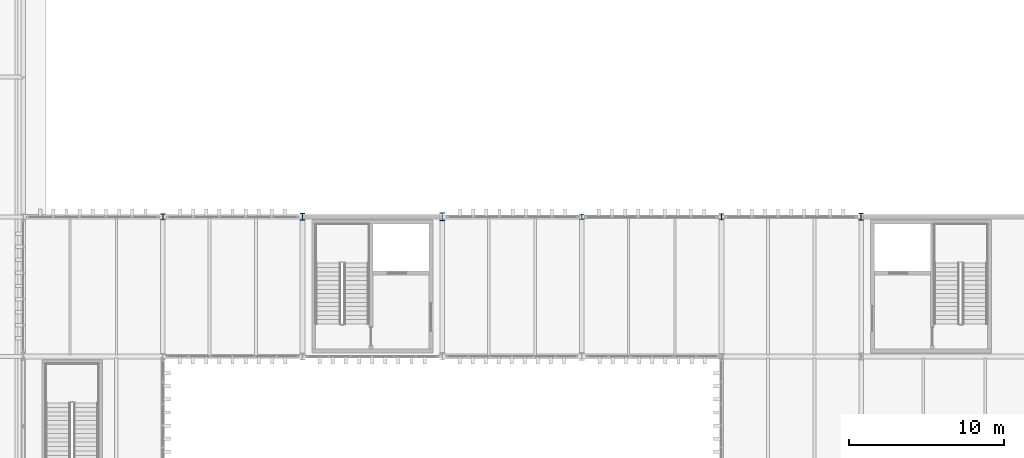
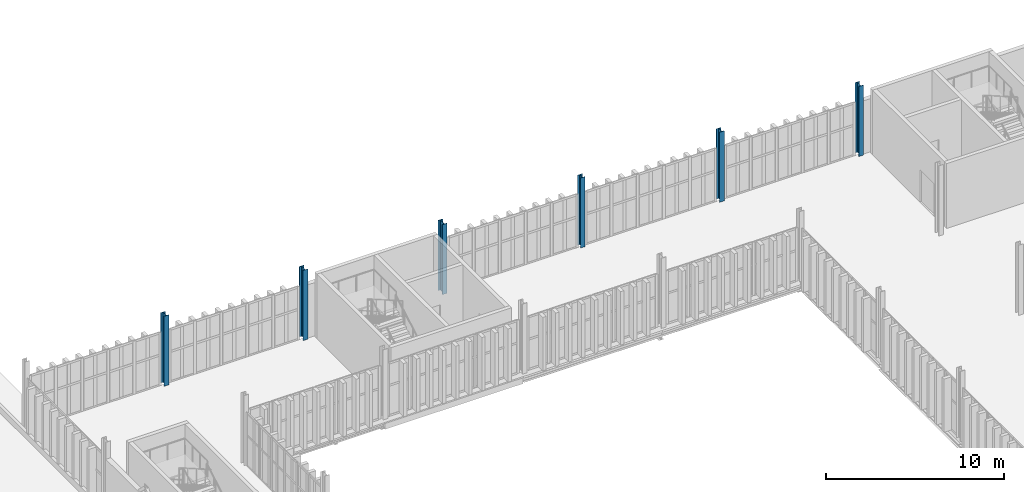
# One storey, part 15 of 196: 6 columns.
"""IFC4 building model written with IfcOpenShell, lengths in metres."""

from ifc_helpers import new_model, si_unit, direction, frame, origin, origin_2d, place, context, subcontext, project, spatial, i_section, extrude, material, material_profile, profile_set, type_object, element, save


model = new_model("IFC4")

# Units and contexts
model_context = context("Model", 3, precision=1e-05, world=origin(), true_north=direction((0.0, 1.0)))
body_context = subcontext(model_context, "Body", "Model", "MODEL_VIEW")
ifc_project = project(units=[si_unit("LENGTHUNIT", "METRE"), si_unit("AREAUNIT", "SQUARE_METRE"), si_unit("VOLUMEUNIT", "CUBIC_METRE"), si_unit("PLANEANGLEUNIT", "RADIAN"), si_unit("MASSUNIT", "GRAM", prefix="KILO")], contexts=[model_context])

# Site, building, storey
site_placement = place(None, origin())
site = spatial("IfcSite", under=ifc_project, at=site_placement, CompositionType="ELEMENT")
building_placement = place(site_placement, origin())
building = spatial("IfcBuilding", under=site, at=building_placement, Name="Barlavento Convention Centre", CompositionType="ELEMENT")
storey_placement = place(building_placement, frame((0.0, 0.0, 18.0)))
storey = spatial("IfcBuildingStorey", under=building, at=storey_placement, Name="L03", CompositionType="ELEMENT", Elevation=18.0)

# Columns
ifc_material = material(Name="Steel S355", Category="steel")
ifc_material_profile_1 = material_profile(ifc_material, i_section(OverallWidth=0.300048828125, OverallDepth=0.340087890625, WebThickness=0.011962890625, FlangeThickness=0.021484375, FilletRadius=0.027099609375, at=origin_2d()), Name="HEB 340")
ifc_profile_set_1 = profile_set([ifc_material_profile_1], Name="Steel S355")
column_type_1 = type_object("IfcColumnType", Name="STR-COL-HEB340", PredefinedType="COLUMN", material=ifc_profile_set_1)
column_1_placement = place(storey_placement, frame((162.0, 99.0, 0.0), z_axis=(0.0, 0.0, 1.0), x_axis=(1.0, 0.0, 0.0)))
element("IfcColumn", 1, at=column_1_placement, inside=storey, type_object=column_type_1, Name="L03 column SC12", PredefinedType="COLUMN", context=body_context, shape_type="SweptSolid", body=[
    extrude(i_section(OverallWidth=0.300048828125, OverallDepth=0.340087890625, WebThickness=0.011962890625, FlangeThickness=0.021484375, FilletRadius=0.027099609375, at=origin_2d()), origin(), (0.0, 0.0, 1.0), 4.800048828125),
])
ifc_material_profile_2 = material_profile(ifc_material, i_section(OverallWidth=0.300048828125, OverallDepth=0.39990234375, WebThickness=0.013427734375, FlangeThickness=0.02392578125, FilletRadius=0.027099609375, at=origin_2d()), Name="HEB 400")
ifc_profile_set_2 = profile_set([ifc_material_profile_2], Name="Steel S355")
column_type_2 = type_object("IfcColumnType", Name="STR-COL-HEB400", PredefinedType="COLUMN", material=ifc_profile_set_2)
for number, where, z_axis, x_axis, name in (
    (2, (135.0, 99.0, 0.0), (0.0, 0.0, 1.0), (1.0, 0.0, 0.0), "L03 column SC11"),
    (3, (171.0, 99.0, 0.0), (0.0, 0.0, 1.0), (1.0, 0.0, 0.0), "L03 column SC11"),
):
    element("IfcColumn", number, at=place(storey_placement, frame(where, z_axis=z_axis, x_axis=x_axis)), inside=storey, type_object=column_type_2, Name=name, PredefinedType="COLUMN", context=body_context, shape_type="SweptSolid", body=[
        extrude(i_section(OverallWidth=0.300048828125, OverallDepth=0.39990234375, WebThickness=0.013427734375, FlangeThickness=0.02392578125, FilletRadius=0.027099609375, at=origin_2d()), origin(), (0.0, 0.0, 1.0), 4.800048828125),
    ])
ifc_material_profile_3 = material_profile(ifc_material, i_section(OverallWidth=0.300048828125, OverallDepth=0.449951171875, WebThickness=0.013916015625, FlangeThickness=0.02587890625, FilletRadius=0.027099609375, at=origin_2d()), Name="HEB 450")
ifc_profile_set_3 = profile_set([ifc_material_profile_3], Name="Steel S355")
column_type_3 = type_object("IfcColumnType", Name="STR-COL-HEB450", PredefinedType="COLUMN", material=ifc_profile_set_3)
for number, where, z_axis, x_axis, name in (
    (4, (144.0, 99.0, 0.0), (0.0, 0.0, 1.0), (1.0, 0.0, 0.0), "L03 column SC10"),
    (5, (180.0, 99.0, 0.0), (0.0, 0.0, 1.0), (1.0, 0.0, 0.0), "L03 column SC10"),
):
    element("IfcColumn", number, at=place(storey_placement, frame(where, z_axis=z_axis, x_axis=x_axis)), inside=storey, type_object=column_type_3, Name=name, PredefinedType="COLUMN", context=body_context, shape_type="SweptSolid", body=[
        extrude(i_section(OverallWidth=0.300048828125, OverallDepth=0.449951171875, WebThickness=0.013916015625, FlangeThickness=0.02587890625, FilletRadius=0.027099609375, at=origin_2d()), origin(), (0.0, 0.0, 1.0), 4.800048828125),
    ])
ifc_material_profile_4 = material_profile(ifc_material, i_section(OverallWidth=0.300048828125, OverallDepth=0.5, WebThickness=0.014404296875, FlangeThickness=0.028076171875, FilletRadius=0.027099609375, at=origin_2d()), Name="HEB 500")
ifc_profile_set_4 = profile_set([ifc_material_profile_4], Name="Steel S355")
column_type_4 = type_object("IfcColumnType", Name="STR-COL-HEB500", PredefinedType="COLUMN", material=ifc_profile_set_4)
column_2_placement = place(storey_placement, frame((153.0, 99.0, 0.0), z_axis=(0.0, 0.0, 1.0), x_axis=(1.0, 0.0, 0.0)))
element("IfcColumn", 6, at=column_2_placement, inside=storey, type_object=column_type_4, Name="L03 column SC09", PredefinedType="COLUMN", context=body_context, shape_type="SweptSolid", body=[
    extrude(i_section(OverallWidth=0.300048828125, OverallDepth=0.5, WebThickness=0.014404296875, FlangeThickness=0.028076171875, FilletRadius=0.027099609375, at=origin_2d()), origin(), (0.0, 0.0, 1.0), 4.800048828125),
])

save(model, "model.ifc")
